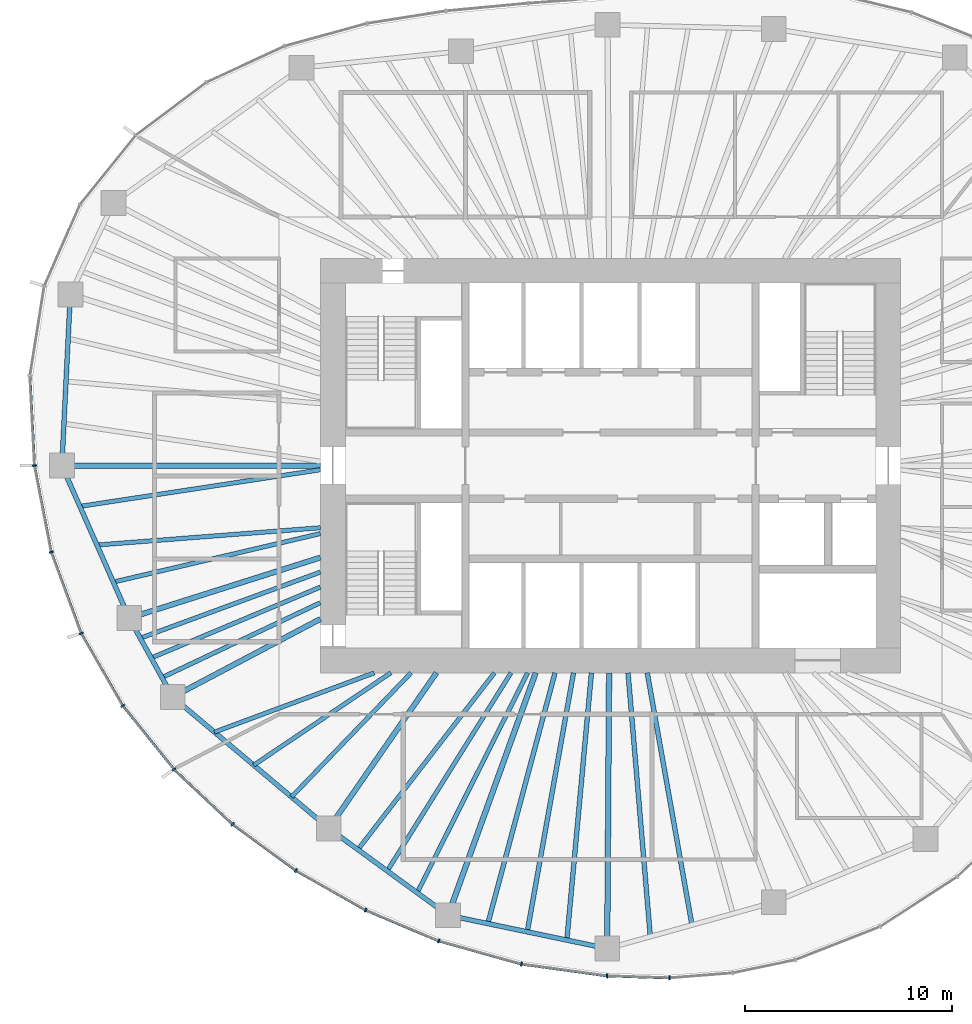
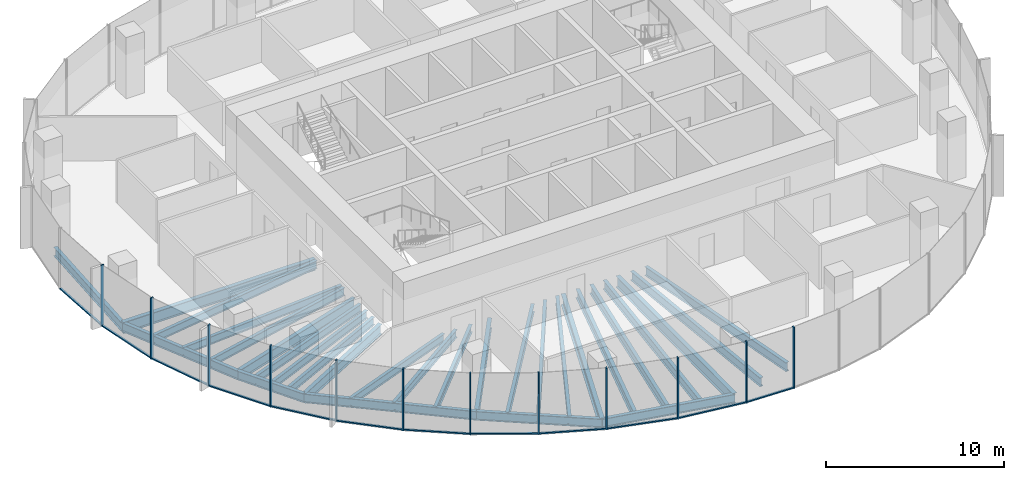
# One storey, part 2 of 11: 29 beams, 24 members, 7 elements without a shape of their own.
"""IFC4 building model written with IfcOpenShell, lengths in metres."""

import ifcopenshell
import ifcopenshell.guid

model = None  # the IFC model being written
_history = None  # IfcOwnerHistory: only IFC2X3 demands one
_inside = {}  # id of a spatial element -> (the spatial element, [elements in it])
_under = {}  # id of a project, library or spatial element -> (it, [spatial elements below it])
_declared = {}  # id of a project -> (the project, [libraries it declares])
_typed = {}  # id of a type object -> (the type object, [elements of that type])
_made_of = {}  # id of a material, layer set ... -> (it, [elements and type objects made of it])


def new_model(schema):
    """Start an empty IFC model of exactly this schema.

    Asked for "IFC4X3", IfcOpenShell would pick the latest addendum, in which some entities
    have other attributes; the version numbers below select the first issue.
    IFC2X3 requires an IfcOwnerHistory on every rooted entity: one is made here for all.
    """
    global model, _history
    if schema == "IFC4X3":
        model = ifcopenshell.file(schema_version=(4, 3, 0, 0))
    else:
        model = ifcopenshell.file(schema=schema)
    _inside.clear()
    _under.clear()
    _declared.clear()
    _typed.clear()
    _made_of.clear()
    _history = None
    if model.schema == "IFC2X3":
        org = make("IfcOrganization", Name="unknown")
        user = make(
            "IfcPersonAndOrganization",
            ThePerson=make("IfcPerson", FamilyName="unknown"),
            TheOrganization=org,
        )
        app = make(
            "IfcApplication",
            ApplicationDeveloper=org,
            Version="unknown",
            ApplicationFullName="unknown",
            ApplicationIdentifier="unknown",
        )
        _history = make(
            "IfcOwnerHistory",
            OwningUser=user,
            OwningApplication=app,
            ChangeAction="ADDED",
            CreationDate=0,
        )
    return model


def make(cls, **values):
    """One entity of the class cls with the attributes given. An attribute that is None is left unset."""
    return model.create_entity(
        cls, **{name: value for name, value in values.items() if value is not None}
    )


def rooted(cls, **values):
    """An entity with a GlobalId (a new one), such as an element, a storey or a relation."""
    return make(cls, GlobalId=ifcopenshell.guid.new(), OwnerHistory=_history, **values)


def si_unit(unit_type, name, prefix=None):
    """IfcSIUnit, for example si_unit("LENGTHUNIT", "METRE", prefix="MILLI")."""
    return make("IfcSIUnit", UnitType=unit_type, Prefix=prefix, Name=name)


def assignment(units):
    """IfcUnitAssignment: the units of a project."""
    return None if units is None else make("IfcUnitAssignment", Units=units)


def point(xyz):
    """IfcCartesianPoint."""
    return None if xyz is None else make("IfcCartesianPoint", Coordinates=xyz)


def direction(xyz):
    """IfcDirection."""
    return None if xyz is None else make("IfcDirection", DirectionRatios=xyz)


def frame(location, z_axis=None, x_axis=None):
    """IfcAxis2Placement3D, a coordinate frame: its origin and axes. An axis left out is left unset."""
    return make(
        "IfcAxis2Placement3D",
        Location=point(location),
        Axis=direction(z_axis),
        RefDirection=direction(x_axis),
    )


def frame_2d(location, x_axis=None):
    """IfcAxis2Placement2D, a coordinate frame in the plane: its origin and x axis."""
    return make(
        "IfcAxis2Placement2D", Location=point(location), RefDirection=direction(x_axis)
    )


def origin():
    """The frame at (0, 0, 0) with its axes left unset."""
    return frame((0.0, 0.0, 0.0))


def origin_2d():
    """The frame at (0, 0) in the plane with its x axis left unset."""
    return frame_2d((0.0, 0.0))


def place(relative_to, where):
    """IfcLocalPlacement: puts the frame where relative to a parent placement (None: the world)."""
    return make(
        "IfcLocalPlacement", PlacementRelTo=relative_to, RelativePlacement=where
    )


def context(
    kind, dimensions, precision=None, world=None, true_north=None, identifier=None
):
    """IfcGeometricRepresentationContext, for example the 3D "Model" context."""
    return make(
        "IfcGeometricRepresentationContext",
        ContextIdentifier=identifier,
        ContextType=kind,
        CoordinateSpaceDimension=dimensions,
        Precision=precision,
        WorldCoordinateSystem=world,
        TrueNorth=true_north,
    )


def subcontext(parent, identifier, kind, view, scale=None):
    """IfcGeometricRepresentationSubContext, for example "Body" below "Model"."""
    return make(
        "IfcGeometricRepresentationSubContext",
        ContextIdentifier=identifier,
        ContextType=kind,
        ParentContext=parent,
        TargetScale=scale,
        TargetView=view,
    )


def project(units=None, contexts=None):
    """IfcProject with its units and contexts."""
    return rooted(
        "IfcProject",
        Name="project",
        RepresentationContexts=contexts,
        UnitsInContext=assignment(units),
    )


def spatial(cls, under=None, at=None, **own):
    """A site, building, storey or space (cls), placed at a placement, below another one or the project."""
    s = rooted(cls, ObjectPlacement=at, **own)
    if under is not None:
        _under.setdefault(under.id(), (under, []))[1].append(s)
    return s


def profile(cls, at=None, kind="AREA", **sizes):
    """A parametric profile (cls). Its sizes go by their IFC names, for example OverallWidth=200.0."""
    return make(cls, ProfileType=kind, Position=at, **sizes)


def rectangle(**sizes):
    """IfcRectangleProfileDef."""
    return profile("IfcRectangleProfileDef", **sizes)


def i_section(**sizes):
    """IfcIShapeProfileDef."""
    return profile("IfcIShapeProfileDef", **sizes)


def extrude(swept, where, along, depth):
    """IfcExtrudedAreaSolid: the profile swept, set in the frame where, extruded along a direction by depth."""
    return make(
        "IfcExtrudedAreaSolid",
        SweptArea=swept,
        Position=where,
        ExtrudedDirection=direction(along),
        Depth=depth,
    )


def shape(context_of_items, identifier, shape_type, items):
    """IfcShapeRepresentation: the items that make up one representation, for example the "Body"."""
    return make(
        "IfcShapeRepresentation",
        ContextOfItems=context_of_items,
        RepresentationIdentifier=identifier,
        RepresentationType=shape_type,
        Items=items,
    )


def material(Name=None, Category=None):
    """IfcMaterial."""
    return make("IfcMaterial", Name=Name, Category=Category)


def material_profile(
    of_material, cross_section, Name=None, Category=None, Priority=None
):
    """IfcMaterialProfile: a cross section and its material."""
    return make(
        "IfcMaterialProfile",
        Name=Name,
        Material=of_material,
        Profile=cross_section,
        Priority=Priority,
        Category=Category,
    )


def profile_set(profiles, Name=None, composite=None):
    """IfcMaterialProfileSet."""
    return make(
        "IfcMaterialProfileSet",
        Name=Name,
        MaterialProfiles=profiles,
        CompositeProfile=composite,
    )


def made_of(thing, what):
    """Note that an element or type object is made of a material, layer set ...; save() writes the relation."""
    if what is not None:
        _made_of.setdefault(what.id(), (what, []))[1].append(thing)
    return thing


def type_object(cls, material=None, **own):
    """A type object (cls), such as IfcWallType, which elements share."""
    return made_of(rooted(cls, **own), material)


def element(
    cls,
    number,
    at=None,
    inside=None,
    cuts=None,
    type_object=None,
    material=None,
    context=None,
    identifier="Body",
    shape_type=None,
    held_by="IfcProductDefinitionShape",
    body=None,
    shapes=None,
    **own,
):
    """One element of the class cls, such as IfcWall. Its Tag is "e" and its number.

    at: its placement. inside: the storey or other place that contains it. cuts: it is an
    opening in that element (IfcRelVoidsElement). A single representation is given by context,
    identifier, shape_type and body (its items); several are given by shapes. held_by: the class
    of the entity that holds the representations. save() writes the other relations.
    """
    e = rooted(cls, Tag="e%d" % number, ObjectPlacement=at, **own)
    if body is not None:
        shapes = [shape(context, identifier, shape_type, body)]
    if shapes is not None:
        e.Representation = make(held_by, Representations=shapes)
    if inside is not None:
        _inside.setdefault(inside.id(), (inside, []))[1].append(e)
    if cuts is not None:
        rooted(
            "IfcRelVoidsElement", RelatingBuildingElement=cuts, RelatedOpeningElement=e
        )
    if type_object is not None:
        _typed.setdefault(type_object.id(), (type_object, []))[1].append(e)
    return made_of(e, material)


def aggregate(whole, parts):
    """IfcRelAggregates: a whole, such as a stair, and the parts it consists of."""
    return rooted("IfcRelAggregates", RelatingObject=whole, RelatedObjects=parts)


def save(model, path):
    """Write the relations noted so far, then the file.

    IfcRelAggregates (storeys below a building ...), IfcRelContainedInSpatialStructure (elements
    in a storey), IfcRelDefinesByType, IfcRelAssociatesMaterial and IfcRelDeclares: one each for
    every whole, place, type object, material and project.
    """
    for whole, parts in _under.values():
        aggregate(whole, parts)
    for where, things in _inside.values():
        rooted(
            "IfcRelContainedInSpatialStructure",
            RelatedElements=things,
            RelatingStructure=where,
        )
    for kind, things in _typed.values():
        rooted("IfcRelDefinesByType", RelatedObjects=things, RelatingType=kind)
    for what, things in _made_of.values():
        rooted("IfcRelAssociatesMaterial", RelatedObjects=things, RelatingMaterial=what)
    for by, libraries in _declared.values():
        rooted("IfcRelDeclares", RelatingContext=by, RelatedDefinitions=libraries)
    model.write(path)


model = new_model("IFC4")

# Units and contexts
model_context = context("Model", 3, precision=1e-05, world=origin(), true_north=direction((0.0, 1.0)))
body_context = subcontext(model_context, "Body", "Model", "MODEL_VIEW")
ifc_project = project(units=[si_unit("LENGTHUNIT", "METRE"), si_unit("AREAUNIT", "SQUARE_METRE"), si_unit("VOLUMEUNIT", "CUBIC_METRE"), si_unit("PLANEANGLEUNIT", "RADIAN"), si_unit("MASSUNIT", "GRAM", prefix="KILO")], contexts=[model_context])

# Site, building, storey
site_placement = place(None, origin())
site = spatial("IfcSite", under=ifc_project, at=site_placement, CompositionType="ELEMENT")
building_placement = place(site_placement, origin())
building = spatial("IfcBuilding", under=site, at=building_placement, Name="Ghaith Harvest Tower", CompositionType="ELEMENT")
storey_placement = place(building_placement, frame((0.0, 0.0, 241.0)))
storey = spatial("IfcBuildingStorey", under=building, at=storey_placement, Name="L53", CompositionType="ELEMENT", Elevation=241.0)

# Curtain wall, members
ifc_material_1 = material(Name="Black anodised aluminium and fritted glass", Category="aluminium")
curtain_wall_type = type_object("IfcCurtainWallType", Name="CW-H CURTAIN WALL", PredefinedType="NOTDEFINED", material=ifc_material_1)
curtain_wall_1_placement = place(storey_placement, origin())
curtain_wall_1 = element("IfcCurtainWall", 1, at=curtain_wall_1_placement, inside=storey, type_object=curtain_wall_type, Name="Curtain wall CW-H bay 11 L53", PredefinedType="NOTDEFINED")
ifc_material_2 = material(Name="Aluminium, black anodised", Category="aluminium")
ifc_material_profile_1 = material_profile(ifc_material_2, rectangle(XDim=0.080078125, YDim=0.199951171875, at=origin_2d()), Name="CW-H MULLION 80x200")
ifc_profile_set_1 = profile_set([ifc_material_profile_1], Name="Aluminium, black anodised")
member_type_1 = type_object("IfcMemberType", Name="CW-H MULLION 80x200", PredefinedType="MULLION", material=ifc_profile_set_1)
member_1_placement = place(storey_placement, frame((-27.794921875, 0.0, 0.0), z_axis=(0.0, 0.0, 1.0), x_axis=(0.12024996575, -0.992743645528, 0.0)))
member_1 = element("IfcMember", 2, at=member_1_placement, type_object=member_type_1, Name="CW-H mullion 1 bay 11 L53", PredefinedType="MULLION", context=body_context, shape_type="SweptSolid", body=[
    extrude(rectangle(XDim=0.080078125, YDim=0.199951171875, at=origin_2d()), origin(), (0.0, 0.0, 1.0), 4.199951171875),
])
member_2_placement = place(storey_placement, frame((-26.9853515625, -4.173828125, 0.0), z_axis=(0.0, 0.0, 1.0), x_axis=(0.268568830903, -0.963260495955, 0.0)))
member_2 = element("IfcMember", 3, at=member_2_placement, type_object=member_type_1, Name="CW-H mullion 2 bay 11 L53", PredefinedType="MULLION", context=body_context, shape_type="SweptSolid", body=[
    extrude(rectangle(XDim=0.080078125, YDim=0.199951171875, at=origin_2d()), origin(), (0.0, 0.0, 1.0), 4.199951171875),
])

curtain_wall_2_placement = place(storey_placement, origin())
curtain_wall_2 = element("IfcCurtainWall", 4, at=curtain_wall_2_placement, inside=storey, type_object=curtain_wall_type, Name="Curtain wall CW-H bay 12 L53", PredefinedType="NOTDEFINED")
member_3_placement = place(storey_placement, frame((-25.538330078125, -8.093505859375, 0.0), z_axis=(0.0, 0.0, 1.0), x_axis=(0.422308650185, -0.906452096903, 0.0)))
member_3 = element("IfcMember", 5, at=member_3_placement, type_object=member_type_1, Name="CW-H mullion 1 bay 12 L53", PredefinedType="MULLION", context=body_context, shape_type="SweptSolid", body=[
    extrude(rectangle(XDim=0.080078125, YDim=0.199951171875, at=origin_2d()), origin(), (0.0, 0.0, 1.0), 4.199951171875),
])
member_4_placement = place(storey_placement, frame((-23.533203125, -11.58349609375, 0.0), z_axis=(0.0, 0.0, 1.0), x_axis=(0.563616546013, -0.826036554312, 0.0)))
member_4 = element("IfcMember", 6, at=member_4_placement, type_object=member_type_1, Name="CW-H mullion 2 bay 12 L53", PredefinedType="MULLION", context=body_context, shape_type="SweptSolid", body=[
    extrude(rectangle(XDim=0.080078125, YDim=0.199951171875, at=origin_2d()), origin(), (0.0, 0.0, 1.0), 4.199951171875),
])

curtain_wall_3_placement = place(storey_placement, origin())
curtain_wall_3 = element("IfcCurtainWall", 7, at=curtain_wall_3_placement, inside=storey, type_object=curtain_wall_type, Name="Curtain wall CW-H bay 13 L53", PredefinedType="NOTDEFINED")
member_5_placement = place(storey_placement, frame((-21.0615234375, -14.65478515625, 0.0), z_axis=(0.0, 0.0, 1.0), x_axis=(0.679181589754, -0.733970277422, 0.0)))
member_5 = element("IfcMember", 8, at=member_5_placement, type_object=member_type_1, Name="CW-H mullion 1 bay 13 L53", PredefinedType="MULLION", context=body_context, shape_type="SweptSolid", body=[
    extrude(rectangle(XDim=0.080078125, YDim=0.199951171875, at=origin_2d()), origin(), (0.0, 0.0, 1.0), 4.199951171875),
])
member_6_placement = place(storey_placement, frame((-18.238037109375, -17.30615234375, 0.0), z_axis=(0.0, 0.0, 1.0), x_axis=(0.769216709506, -0.638987991919, 0.0)))
member_6 = element("IfcMember", 9, at=member_6_placement, type_object=member_type_1, Name="CW-H mullion 2 bay 13 L53", PredefinedType="MULLION", context=body_context, shape_type="SweptSolid", body=[
    extrude(rectangle(XDim=0.080078125, YDim=0.199951171875, at=origin_2d()), origin(), (0.0, 0.0, 1.0), 4.199951171875),
])

curtain_wall_4_placement = place(storey_placement, origin())
curtain_wall_4 = element("IfcCurtainWall", 10, at=curtain_wall_4_placement, inside=storey, type_object=curtain_wall_type, Name="Curtain wall CW-H bay 14 L53", PredefinedType="NOTDEFINED")
member_7_placement = place(storey_placement, frame((-15.177490234375, -19.542724609375, 0.0), z_axis=(0.0, 0.0, 1.0), x_axis=(0.840233591157, -0.5422245958, 0.0)))
member_7 = element("IfcMember", 11, at=member_7_placement, type_object=member_type_1, Name="CW-H mullion 1 bay 14 L53", PredefinedType="MULLION", context=body_context, shape_type="SweptSolid", body=[
    extrude(rectangle(XDim=0.080078125, YDim=0.199951171875, at=origin_2d()), origin(), (0.0, 0.0, 1.0), 4.199951171875),
])
member_8_placement = place(storey_placement, frame((-11.815185546875, -21.45068359375, 0.0), z_axis=(0.0, 0.0, 1.0), x_axis=(0.896852966189, -0.442328788389, 0.0)))
member_8 = element("IfcMember", 12, at=member_8_placement, type_object=member_type_1, Name="CW-H mullion 2 bay 14 L53", PredefinedType="MULLION", context=body_context, shape_type="SweptSolid", body=[
    extrude(rectangle(XDim=0.080078125, YDim=0.199951171875, at=origin_2d()), origin(), (0.0, 0.0, 1.0), 4.199951171875),
])

curtain_wall_5_placement = place(storey_placement, origin())
curtain_wall_5 = element("IfcCurtainWall", 13, at=curtain_wall_5_placement, inside=storey, type_object=curtain_wall_type, Name="Curtain wall CW-H bay 15 L53", PredefinedType="NOTDEFINED")
member_9_placement = place(storey_placement, frame((-8.285888671875, -22.941650390625, 0.0), z_axis=(0.0, 0.0, 1.0), x_axis=(0.944906041636, -0.327341675439, 0.0)))
member_9 = element("IfcMember", 14, at=member_9_placement, type_object=member_type_1, Name="CW-H mullion 1 bay 15 L53", PredefinedType="MULLION", context=body_context, shape_type="SweptSolid", body=[
    extrude(rectangle(XDim=0.080078125, YDim=0.199951171875, at=origin_2d()), origin(), (0.0, 0.0, 1.0), 4.199951171875),
])
member_10_placement = place(storey_placement, frame((-4.2958984375, -24.0556640625, 0.0), z_axis=(0.0, 0.0, 1.0), x_axis=(0.979161388311, -0.203083666601, 0.0)))
member_10 = element("IfcMember", 15, at=member_10_placement, type_object=member_type_1, Name="CW-H mullion 2 bay 15 L53", PredefinedType="MULLION", context=body_context, shape_type="SweptSolid", body=[
    extrude(rectangle(XDim=0.080078125, YDim=0.199951171875, at=origin_2d()), origin(), (0.0, 0.0, 1.0), 4.199951171875),
])

curtain_wall_6_placement = place(storey_placement, origin())
curtain_wall_6 = element("IfcCurtainWall", 16, at=curtain_wall_6_placement, inside=storey, type_object=curtain_wall_type, Name="Curtain wall CW-H bay 16 L53", PredefinedType="NOTDEFINED")
member_11_placement = place(storey_placement, frame((-0.16845703125, -24.625244140625, 0.0), z_axis=(0.0, 0.0, 1.0), x_axis=(0.99568459113, -0.092801912617, 0.0)))
member_11 = element("IfcMember", 17, at=member_11_placement, type_object=member_type_1, Name="CW-H mullion 1 bay 16 L53", PredefinedType="MULLION", context=body_context, shape_type="SweptSolid", body=[
    extrude(rectangle(XDim=0.080078125, YDim=0.199951171875, at=origin_2d()), origin(), (0.0, 0.0, 1.0), 4.199951171875),
])
member_12_placement = place(storey_placement, frame((2.84765625, -24.721435546875, 0.0), z_axis=(0.0, 0.0, 1.0), x_axis=(0.999724413906, 0.02347543907, 0.0)))
member_12 = element("IfcMember", 18, at=member_12_placement, type_object=member_type_1, Name="CW-H mullion 2 bay 16 L53", PredefinedType="MULLION", context=body_context, shape_type="SweptSolid", body=[
    extrude(rectangle(XDim=0.080078125, YDim=0.199951171875, at=origin_2d()), origin(), (0.0, 0.0, 1.0), 4.199951171875),
])

# Curtain wall, member
curtain_wall_7_placement = place(storey_placement, origin())
curtain_wall_7 = element("IfcCurtainWall", 19, at=curtain_wall_7_placement, inside=storey, type_object=curtain_wall_type, Name="Curtain wall CW-H bay 10 L53", PredefinedType="NOTDEFINED")
ifc_material_3 = material(Name="Aluminium, black anodised", Category="aluminium")
ifc_material_profile_2 = material_profile(ifc_material_3, rectangle(XDim=0.1298828125, YDim=0.080078125, at=origin_2d()), Name="CW-H TRANSOM 130x80")
ifc_profile_set_2 = profile_set([ifc_material_profile_2], Name="Aluminium, black anodised")
member_type_2 = type_object("IfcMemberType", Name="CW-H TRANSOM 130x80", PredefinedType="USERDEFINED", material=ifc_profile_set_2)
member_13_placement = place(storey_placement, frame((-28.013671875, 4.293212890625, 0.0400390625), z_axis=(0.05084969311, -0.998706317548, 0.0), x_axis=(0.998706317548, 0.05084969311, 0.0)))
member_13 = element("IfcMember", 20, at=member_13_placement, type_object=member_type_2, Name="CW-H transom 2 bay 10 L53", ObjectType="TRANSOM", PredefinedType="USERDEFINED", context=body_context, shape_type="SweptSolid", body=[
    extrude(rectangle(XDim=0.1298828125, YDim=0.080078125, at=origin_2d()), origin(), (0.0, 0.0, 1.0), 4.2587890625),
])
aggregate(curtain_wall_7, [member_13])

# Member
member_14_placement = place(storey_placement, frame((-27.787353515625, -0.039306640625, 0.0400390625), z_axis=(0.190440428338, -0.981698753821, 0.0), x_axis=(0.981698753821, 0.190440428338, 0.0)))
member_14 = element("IfcMember", 21, at=member_14_placement, type_object=member_type_2, Name="CW-H transom 1 bay 11 L53", ObjectType="TRANSOM", PredefinedType="USERDEFINED", context=body_context, shape_type="SweptSolid", body=[
    extrude(rectangle(XDim=0.1298828125, YDim=0.080078125, at=origin_2d()), origin(), (0.0, 0.0, 1.0), 4.171630859375),
])

member_15_placement = place(storey_placement, frame((-26.971435546875, -4.21142578125, 0.0400390625), z_axis=(0.346287782987, -0.93812833416, 0.0), x_axis=(0.93812833416, 0.346287782987, 0.0)))
member_15 = element("IfcMember", 22, at=member_15_placement, type_object=member_type_2, Name="CW-H transom 2 bay 11 L53", ObjectType="TRANSOM", PredefinedType="USERDEFINED", context=body_context, shape_type="SweptSolid", body=[
    extrude(rectangle(XDim=0.1298828125, YDim=0.080078125, at=origin_2d()), origin(), (0.0, 0.0, 1.0), 4.098388671875),
])

aggregate(curtain_wall_1, [member_1, member_14, member_2, member_15])

member_16_placement = place(storey_placement, frame((-25.5185546875, -8.128173828125, 0.0400390625), z_axis=(0.498176929488, -0.86707539864, 0.0), x_axis=(0.86707539864, 0.498176929488, 0.0)))
member_16 = element("IfcMember", 23, at=member_16_placement, type_object=member_type_2, Name="CW-H transom 1 bay 12 L53", ObjectType="TRANSOM", PredefinedType="USERDEFINED", context=body_context, shape_type="SweptSolid", body=[
    extrude(rectangle(XDim=0.1298828125, YDim=0.080078125, at=origin_2d()), origin(), (0.0, 0.0, 1.0), 3.945068359375),
])

member_17_placement = place(storey_placement, frame((-23.508056640625, -11.61474609375, 0.0400390625), z_axis=(0.626958878139, -0.779052350694, 0.0), x_axis=(0.779052350694, 0.626958878139, 0.0)))
member_17 = element("IfcMember", 24, at=member_17_placement, type_object=member_type_2, Name="CW-H transom 2 bay 12 L53", ObjectType="TRANSOM", PredefinedType="USERDEFINED", context=body_context, shape_type="SweptSolid", body=[
    extrude(rectangle(XDim=0.1298828125, YDim=0.080078125, at=origin_2d()), origin(), (0.0, 0.0, 1.0), 3.862060546875),
])

aggregate(curtain_wall_2, [member_3, member_16, member_4, member_17])

member_18_placement = place(storey_placement, frame((-21.032470703125, -14.68212890625, 0.0400390625), z_axis=(0.729025183709, -0.684486874613, 0.0), x_axis=(0.684486874613, 0.729025183709, 0.0)))
member_18 = element("IfcMember", 25, at=member_18_placement, type_object=member_type_2, Name="CW-H transom 1 bay 13 L53", ObjectType="TRANSOM", PredefinedType="USERDEFINED", context=body_context, shape_type="SweptSolid", body=[
    extrude(rectangle(XDim=0.1298828125, YDim=0.080078125, at=origin_2d()), origin(), (0.0, 0.0, 1.0), 3.793212890625),
])

member_19_placement = place(storey_placement, frame((-18.20556640625, -17.32958984375, 0.0400390625), z_axis=(0.807368217185, -0.590047931849, 0.0), x_axis=(0.590047931849, 0.807368217185, 0.0)))
member_19 = element("IfcMember", 26, at=member_19_placement, type_object=member_type_2, Name="CW-H transom 2 bay 13 L53", ObjectType="TRANSOM", PredefinedType="USERDEFINED", context=body_context, shape_type="SweptSolid", body=[
    extrude(rectangle(XDim=0.1298828125, YDim=0.080078125, at=origin_2d()), origin(), (0.0, 0.0, 1.0), 3.710693359375),
])

aggregate(curtain_wall_3, [member_5, member_18, member_6, member_19])

member_20_placement = place(storey_placement, frame((-15.142822265625, -19.5625, 0.0400390625), z_axis=(0.869735291487, -0.493518513068, 0.0), x_axis=(0.493518513068, 0.869735291487, 0.0)))
member_20 = element("IfcMember", 27, at=member_20_placement, type_object=member_type_2, Name="CW-H transom 1 bay 14 L53", ObjectType="TRANSOM", PredefinedType="USERDEFINED", context=body_context, shape_type="SweptSolid", body=[
    extrude(rectangle(XDim=0.1298828125, YDim=0.080078125, at=origin_2d()), origin(), (0.0, 0.0, 1.0), 3.785888671875),
])

member_21_placement = place(storey_placement, frame((-11.7783203125, -21.46630859375, 0.0400390625), z_axis=(0.921182691948, -0.38913037411, 0.0), x_axis=(0.38913037411, 0.921182691948, 0.0)))
member_21 = element("IfcMember", 28, at=member_21_placement, type_object=member_type_2, Name="CW-H transom 2 bay 14 L53", ObjectType="TRANSOM", PredefinedType="USERDEFINED", context=body_context, shape_type="SweptSolid", body=[
    extrude(rectangle(XDim=0.1298828125, YDim=0.080078125, at=origin_2d()), origin(), (0.0, 0.0, 1.0), 3.751220703125),
])

aggregate(curtain_wall_4, [member_7, member_20, member_8, member_21])

member_22_placement = place(storey_placement, frame((-8.24755859375, -22.952392578125, 0.0400390625), z_axis=(0.963164092269, -0.268914356932, 0.0), x_axis=(0.268914356932, 0.963164092269, 0.0)))
member_22 = element("IfcMember", 29, at=member_22_placement, type_object=member_type_2, Name="CW-H transom 1 bay 15 L53", ObjectType="TRANSOM", PredefinedType="USERDEFINED", context=body_context, shape_type="SweptSolid", body=[
    extrude(rectangle(XDim=0.1298828125, YDim=0.080078125, at=origin_2d()), origin(), (0.0, 0.0, 1.0), 4.062744140625),
])

member_23_placement = place(storey_placement, frame((-4.25634765625, -24.06103515625, 0.0400390625), z_axis=(0.990605228149, -0.136752630555, 0.0), x_axis=(0.136752630555, 0.990605228149, 0.0)))
member_23 = element("IfcMember", 30, at=member_23_placement, type_object=member_type_2, Name="CW-H transom 2 bay 15 L53", ObjectType="TRANSOM", PredefinedType="USERDEFINED", context=body_context, shape_type="SweptSolid", body=[
    extrude(rectangle(XDim=0.1298828125, YDim=0.080078125, at=origin_2d()), origin(), (0.0, 0.0, 1.0), 4.08642578125),
])

aggregate(curtain_wall_5, [member_9, member_22, member_10, member_23])

member_24_placement = place(storey_placement, frame((-0.128662109375, -24.62646484375, 0.0400390625), z_axis=(0.999490770233, -0.031909249731, 0.0), x_axis=(0.031909249731, 0.999490770233, 0.0)))
member_24 = element("IfcMember", 31, at=member_24_placement, type_object=member_type_2, Name="CW-H transom 1 bay 16 L53", ObjectType="TRANSOM", PredefinedType="USERDEFINED", context=body_context, shape_type="SweptSolid", body=[
    extrude(rectangle(XDim=0.1298828125, YDim=0.080078125, at=origin_2d()), origin(), (0.0, 0.0, 1.0), 2.93798828125),
])

aggregate(curtain_wall_6, [member_11, member_24, member_12])

# Beams
ifc_material_4 = material(Name="Steel ASTM A992 Grade 50", Category="steel")
ifc_material_profile_3 = material_profile(ifc_material_4, i_section(OverallWidth=0.22900390625, OverallDepth=0.612060546875, WebThickness=0.011962890625, FlangeThickness=0.01953125, at=origin_2d()), Name="W610X125")
ifc_profile_set_3 = profile_set([ifc_material_profile_3], Name="Steel ASTM A992 Grade 50")
beam_type_1 = type_object("IfcBeamType", Name="E610-125 W610X125", PredefinedType="SPANDREL", material=ifc_profile_set_3)
beam_1_placement = place(storey_placement, frame((-26.06689453125, 8.260986328125, -0.47607421875), z_axis=(-0.049353148492, -0.998781390863, 0.0), x_axis=(0.998781390863, -0.049353148492, 0.0)))
element("IfcBeam", 32, at=beam_1_placement, inside=storey, type_object=beam_type_1, Name="Edge beam E10 L53", PredefinedType="SPANDREL", context=body_context, shape_type="SweptSolid", body=[
    extrude(i_section(OverallWidth=0.22900390625, OverallDepth=0.612060546875, WebThickness=0.011962890625, FlangeThickness=0.01953125, at=origin_2d()), origin(), (0.0, 0.0, 1.0), 8.27099609375),
])
beam_2_placement = place(storey_placement, frame((-26.47509765625, 0.0, -0.47607421875), z_axis=(0.404042817399, -0.914740073304, 0.0), x_axis=(0.914740073304, 0.404042817399, 0.0)))
element("IfcBeam", 33, at=beam_2_placement, inside=storey, type_object=beam_type_1, Name="Edge beam E11 L53", PredefinedType="SPANDREL", context=body_context, shape_type="SweptSolid", body=[
    extrude(i_section(OverallWidth=0.22900390625, OverallDepth=0.612060546875, WebThickness=0.011962890625, FlangeThickness=0.01953125, at=origin_2d()), origin(), (0.0, 0.0, 1.0), 8.046142578125),
])
beam_3_placement = place(storey_placement, frame((-23.22412109375, -7.360107421875, -0.47607421875), z_axis=(0.482955575345, -0.875644855089, 0.0), x_axis=(0.875644855089, 0.482955575345, 0.0)))
element("IfcBeam", 34, at=beam_3_placement, inside=storey, type_object=beam_type_1, Name="Edge beam E12 L53", PredefinedType="SPANDREL", context=body_context, shape_type="SweptSolid", body=[
    extrude(i_section(OverallWidth=0.22900390625, OverallDepth=0.612060546875, WebThickness=0.011962890625, FlangeThickness=0.01953125, at=origin_2d()), origin(), (0.0, 0.0, 1.0), 4.346435546875),
])
beam_4_placement = place(storey_placement, frame((-21.125, -11.166015625, -0.47607421875), z_axis=(0.765021818761, -0.64400436087, 0.0), x_axis=(0.64400436087, 0.765021818761, 0.0)))
element("IfcBeam", 35, at=beam_4_placement, inside=storey, type_object=beam_type_1, Name="Edge beam E13 L53", PredefinedType="SPANDREL", context=body_context, shape_type="SweptSolid", body=[
    extrude(i_section(OverallWidth=0.22900390625, OverallDepth=0.612060546875, WebThickness=0.011962890625, FlangeThickness=0.01953125, at=origin_2d()), origin(), (0.0, 0.0, 1.0), 9.8427734375),
])
beam_5_placement = place(storey_placement, frame((-13.594970703125, -17.5048828125, -0.47607421875), z_axis=(0.808194782503, -0.588915268553, 0.0), x_axis=(0.588915268553, 0.808194782503, 0.0)))
element("IfcBeam", 36, at=beam_5_placement, inside=storey, type_object=beam_type_1, Name="Edge beam E14 L53", PredefinedType="SPANDREL", context=body_context, shape_type="SweptSolid", body=[
    extrude(i_section(OverallWidth=0.22900390625, OverallDepth=0.612060546875, WebThickness=0.011962890625, FlangeThickness=0.01953125, at=origin_2d()), origin(), (0.0, 0.0, 1.0), 7.123291015625),
])
beam_6_placement = place(storey_placement, frame((-7.837890625, -21.699951171875, -0.47607421875), z_axis=(0.978847910797, -0.20458926543, 0.0), x_axis=(0.20458926543, 0.978847910797, 0.0)))
element("IfcBeam", 37, at=beam_6_placement, inside=storey, type_object=beam_type_1, Name="Edge beam E15 L53", PredefinedType="SPANDREL", context=body_context, shape_type="SweptSolid", body=[
    extrude(i_section(OverallWidth=0.22900390625, OverallDepth=0.612060546875, WebThickness=0.011962890625, FlangeThickness=0.01953125, at=origin_2d()), origin(), (0.0, 0.0, 1.0), 7.844970703125),
])
ifc_material_5 = material(Name="Steel ASTM A992 Grade 50", Category="steel")
ifc_material_profile_4 = material_profile(ifc_material_5, i_section(OverallWidth=0.256103515625, OverallDepth=0.693115234375, WebThickness=0.014404296875, FlangeThickness=0.023681640625, at=origin_2d()), Name="W690X170")
ifc_profile_set_4 = profile_set([ifc_material_profile_4], Name="Steel ASTM A992 Grade 50")
beam_type_2 = type_object("IfcBeamType", Name="G690-170 W690X170", PredefinedType="BEAM", material=ifc_profile_set_4)
beam_7_placement = place(storey_placement, frame((-14.0, -4.43701171875, -0.5166015625), z_axis=(-0.953279028151, -0.302091202267, 0.0), x_axis=(0.302091202267, -0.953279028151, 0.0)))
element("IfcBeam", 38, at=beam_7_placement, inside=storey, type_object=beam_type_2, Name="Radial girder G12 L53", PredefinedType="BEAM", context=body_context, shape_type="SweptSolid", body=[
    extrude(i_section(OverallWidth=0.256103515625, OverallDepth=0.693115234375, WebThickness=0.014404296875, FlangeThickness=0.023681640625, at=origin_2d()), origin(), (0.0, 0.0, 1.0), 9.67626953125),
])
beam_8_placement = place(storey_placement, frame((-14.0, -7.39990234375, -0.5166015625), z_axis=(-0.88409279474, -0.46731138472, 0.0), x_axis=(0.46731138472, -0.88409279474, 0.0)))
element("IfcBeam", 39, at=beam_8_placement, inside=storey, type_object=beam_type_2, Name="Radial girder G13 L53", PredefinedType="BEAM", context=body_context, shape_type="SweptSolid", body=[
    extrude(i_section(OverallWidth=0.256103515625, OverallDepth=0.693115234375, WebThickness=0.014404296875, FlangeThickness=0.023681640625, at=origin_2d()), origin(), (0.0, 0.0, 1.0), 8.05908203125),
])
beam_9_placement = place(storey_placement, frame((-8.39990234375, -10.0, -0.5166015625), z_axis=(-0.569164078909, -0.822223966617, 0.0), x_axis=(0.822223966617, -0.569164078909, 0.0)))
element("IfcBeam", 40, at=beam_9_placement, inside=storey, type_object=beam_type_2, Name="Radial girder G14 L53", PredefinedType="BEAM", context=body_context, shape_type="SweptSolid", body=[
    extrude(i_section(OverallWidth=0.256103515625, OverallDepth=0.693115234375, WebThickness=0.014404296875, FlangeThickness=0.023681640625, at=origin_2d()), origin(), (0.0, 0.0, 1.0), 9.12744140625),
])
ifc_material_6 = material(Name="Steel ASTM A992 Grade 50", Category="steel")
ifc_material_profile_5 = material_profile(ifc_material_6, i_section(OverallWidth=0.26806640625, OverallDepth=0.77001953125, WebThickness=0.015625, FlangeThickness=0.025390625, at=origin_2d()), Name="W760X196")
ifc_profile_set_5 = profile_set([ifc_material_profile_5], Name="Steel ASTM A992 Grade 50")
beam_type_3 = type_object("IfcBeamType", Name="G760-196 W760X196", PredefinedType="BEAM", material=ifc_profile_set_5)
beam_10_placement = place(storey_placement, frame((-14.0, 0.0, -0.554931640625), z_axis=(-1.0, 0.0, 0.0), x_axis=(0.0, -1.0, 0.0)))
element("IfcBeam", 41, at=beam_10_placement, inside=storey, type_object=beam_type_3, Name="Radial girder G11 L53", PredefinedType="BEAM", context=body_context, shape_type="SweptSolid", body=[
    extrude(i_section(OverallWidth=0.26806640625, OverallDepth=0.77001953125, WebThickness=0.015625, FlangeThickness=0.025390625, at=origin_2d()), origin(), (0.0, 0.0, 1.0), 12.47509765625),
])
beam_11_placement = place(storey_placement, frame((-3.61181640625, -10.0, -0.554931640625), z_axis=(-0.339722108335, -0.940525857756, 0.0), x_axis=(0.940525857756, -0.339722108335, 0.0)))
element("IfcBeam", 42, at=beam_11_placement, inside=storey, type_object=beam_type_3, Name="Radial girder G15 L53", PredefinedType="BEAM", context=body_context, shape_type="SweptSolid", body=[
    extrude(i_section(OverallWidth=0.26806640625, OverallDepth=0.77001953125, WebThickness=0.015625, FlangeThickness=0.025390625, at=origin_2d()), origin(), (0.0, 0.0, 1.0), 12.439697265625),
])
beam_12_placement = place(storey_placement, frame((-0.068359375, -10.0, -0.554931640625), z_axis=(-0.00680755644, -0.999976828319, 0.0), x_axis=(0.999976828319, -0.00680755644, 0.0)))
element("IfcBeam", 43, at=beam_12_placement, inside=storey, type_object=beam_type_3, Name="Radial girder G16 L53", PredefinedType="BEAM", context=body_context, shape_type="SweptSolid", body=[
    extrude(i_section(OverallWidth=0.26806640625, OverallDepth=0.77001953125, WebThickness=0.015625, FlangeThickness=0.025390625, at=origin_2d()), origin(), (0.0, 0.0, 1.0), 13.30517578125),
])
ifc_material_7 = material(Name="Steel ASTM A992 Grade 50", Category="steel")
ifc_material_profile_6 = material_profile(ifc_material_7, i_section(OverallWidth=0.2109375, OverallDepth=0.5390625, WebThickness=0.01171875, FlangeThickness=0.018798828125, at=origin_2d()), Name="W530X109")
ifc_profile_set_6 = profile_set([ifc_material_profile_6], Name="Steel ASTM A992 Grade 50")
beam_type_4 = type_object("IfcBeamType", Name="J530-109 W530X109", PredefinedType="JOIST", material=ifc_profile_set_6)
beam_13_placement = place(storey_placement, frame((-14.0, -0.199951171875, -0.439453125), z_axis=(-0.988587077715, -0.150650555178, 0.0), x_axis=(0.150650555178, -0.988587077715, 0.0)))
element("IfcBeam", 44, at=beam_13_placement, inside=storey, type_object=beam_type_4, Name="Joist J11.1 L53", PredefinedType="JOIST", context=body_context, shape_type="SweptSolid", body=[
    extrude(i_section(OverallWidth=0.2109375, OverallDepth=0.5390625, WebThickness=0.01171875, FlangeThickness=0.018798828125, at=origin_2d()), origin(), (0.0, 0.0, 1.0), 11.739501953125),
])
beam_14_placement = place(storey_placement, frame((-14.0, -3.0, -0.439453125), z_axis=(-0.997028799301, -0.077029691443, 0.0), x_axis=(0.077029691443, -0.997028799301, 0.0)))
element("IfcBeam", 45, at=beam_14_placement, inside=storey, type_object=beam_type_4, Name="Joist J11.2 L53", PredefinedType="JOIST", context=body_context, shape_type="SweptSolid", body=[
    extrude(i_section(OverallWidth=0.2109375, OverallDepth=0.5390625, WebThickness=0.01171875, FlangeThickness=0.018798828125, at=origin_2d()), origin(), (0.0, 0.0, 1.0), 10.814208984375),
])
beam_15_placement = place(storey_placement, frame((-14.0, -3.280517578125, -0.439453125), z_axis=(-0.97362176086, -0.22816806696, 0.0), x_axis=(0.22816806696, -0.97362176086, 0.0)))
element("IfcBeam", 46, at=beam_15_placement, inside=storey, type_object=beam_type_4, Name="Joist J11.3 L53", PredefinedType="JOIST", context=body_context, shape_type="SweptSolid", body=[
    extrude(i_section(OverallWidth=0.2109375, OverallDepth=0.5390625, WebThickness=0.01171875, FlangeThickness=0.018798828125, at=origin_2d()), origin(), (0.0, 0.0, 1.0), 10.262451171875),
])
beam_16_placement = place(storey_placement, frame((-5.60009765625, -10.0, -0.439453125), z_axis=(-0.611412687895, -0.791311901264, 0.0), x_axis=(0.791311901264, -0.611412687895, 0.0)))
element("IfcBeam", 47, at=beam_16_placement, inside=storey, type_object=beam_type_4, Name="Joist J14.1 L53", PredefinedType="JOIST", context=body_context, shape_type="SweptSolid", body=[
    extrude(i_section(OverallWidth=0.2109375, OverallDepth=0.5390625, WebThickness=0.01171875, FlangeThickness=0.018798828125, at=origin_2d()), origin(), (0.0, 0.0, 1.0), 10.778076171875),
])
beam_17_placement = place(storey_placement, frame((-4.800048828125, -10.0, -0.439453125), z_axis=(-0.529921073682, -0.848046965484, 0.0), x_axis=(0.848046965484, -0.529921073682, 0.0)))
element("IfcBeam", 48, at=beam_17_placement, inside=storey, type_object=beam_type_4, Name="Joist J14.2 L53", PredefinedType="JOIST", context=body_context, shape_type="SweptSolid", body=[
    extrude(i_section(OverallWidth=0.2109375, OverallDepth=0.5390625, WebThickness=0.01171875, FlangeThickness=0.018798828125, at=origin_2d()), origin(), (0.0, 0.0, 1.0), 11.273681640625),
])
beam_18_placement = place(storey_placement, frame((-4.0, -10.0, -0.439453125), z_axis=(-0.448791718068, -0.893636387908, 0.0), x_axis=(0.893636387908, -0.448791718068, 0.0)))
element("IfcBeam", 49, at=beam_18_placement, inside=storey, type_object=beam_type_4, Name="Joist J14.3 L53", PredefinedType="JOIST", context=body_context, shape_type="SweptSolid", body=[
    extrude(i_section(OverallWidth=0.2109375, OverallDepth=0.5390625, WebThickness=0.01171875, FlangeThickness=0.018798828125, at=origin_2d()), origin(), (0.0, 0.0, 1.0), 11.8759765625),
])
ifc_material_8 = material(Name="Steel ASTM A992 Grade 50", Category="steel")
ifc_material_profile_7 = material_profile(ifc_material_8, i_section(OverallWidth=0.208984375, OverallDepth=0.532958984375, WebThickness=0.01025390625, FlangeThickness=0.015625, at=origin_2d()), Name="W530X92")
ifc_profile_set_7 = profile_set([ifc_material_profile_7], Name="Steel ASTM A992 Grade 50")
beam_type_5 = type_object("IfcBeamType", Name="J530-92 W530X92", PredefinedType="JOIST", material=ifc_profile_set_7)
beam_19_placement = place(storey_placement, frame((-14.0, -5.137939453125, -0.4365234375), z_axis=(-0.93877284801, -0.34453670318, 0.0), x_axis=(0.34453670318, -0.93877284801, 0.0)))
element("IfcBeam", 50, at=beam_19_placement, inside=storey, type_object=beam_type_5, Name="Joist J12.1 L53", PredefinedType="JOIST", context=body_context, shape_type="SweptSolid", body=[
    extrude(i_section(OverallWidth=0.208984375, OverallDepth=0.532958984375, WebThickness=0.01025390625, FlangeThickness=0.015625, at=origin_2d()), origin(), (0.0, 0.0, 1.0), 9.25732421875),
])
beam_20_placement = place(storey_placement, frame((-14.0, -5.862548828125, -0.4365234375), z_axis=(-0.922387515293, -0.386265804377, 0.0), x_axis=(0.386265804377, -0.922387515293, 0.0)))
element("IfcBeam", 51, at=beam_20_placement, inside=storey, type_object=beam_type_5, Name="Joist J12.2 L53", PredefinedType="JOIST", context=body_context, shape_type="SweptSolid", body=[
    extrude(i_section(OverallWidth=0.208984375, OverallDepth=0.532958984375, WebThickness=0.01025390625, FlangeThickness=0.015625, at=origin_2d()), origin(), (0.0, 0.0, 1.0), 8.851318359375),
])
beam_21_placement = place(storey_placement, frame((-14.0, -6.614990234375, -0.4365234375), z_axis=(-0.90415786724, -0.427198491462, 0.0), x_axis=(0.427198491462, -0.90415786724, 0.0)))
element("IfcBeam", 52, at=beam_21_placement, inside=storey, type_object=beam_type_5, Name="Joist J12.3 L53", PredefinedType="JOIST", context=body_context, shape_type="SweptSolid", body=[
    extrude(i_section(OverallWidth=0.208984375, OverallDepth=0.532958984375, WebThickness=0.01025390625, FlangeThickness=0.015625, at=origin_2d()), origin(), (0.0, 0.0, 1.0), 8.45361328125),
])
beam_22_placement = place(storey_placement, frame((-11.39990234375, -10.0, -0.4365234375), z_axis=(-0.937594001899, -0.34773191916, 0.0), x_axis=(0.34773191916, -0.937594001899, 0.0)))
element("IfcBeam", 53, at=beam_22_placement, inside=storey, type_object=beam_type_5, Name="Joist J13.1 L53", PredefinedType="JOIST", context=body_context, shape_type="SweptSolid", body=[
    extrude(i_section(OverallWidth=0.208984375, OverallDepth=0.532958984375, WebThickness=0.01025390625, FlangeThickness=0.015625, at=origin_2d()), origin(), (0.0, 0.0, 1.0), 8.225830078125),
])
beam_23_placement = place(storey_placement, frame((-10.60009765625, -10.0, -0.4365234375), z_axis=(-0.829594017544, -0.55836705316, 0.0), x_axis=(0.55836705316, -0.829594017544, 0.0)))
element("IfcBeam", 54, at=beam_23_placement, inside=storey, type_object=beam_type_5, Name="Joist J13.2 L53", PredefinedType="JOIST", context=body_context, shape_type="SweptSolid", body=[
    extrude(i_section(OverallWidth=0.208984375, OverallDepth=0.532958984375, WebThickness=0.01025390625, FlangeThickness=0.015625, at=origin_2d()), origin(), (0.0, 0.0, 1.0), 7.977783203125),
])
beam_24_placement = place(storey_placement, frame((-9.626708984375, -10.0, -0.4365234375), z_axis=(-0.693546892509, -0.720411485119, 0.0), x_axis=(0.720411485119, -0.693546892509, 0.0)))
element("IfcBeam", 55, at=beam_24_placement, inside=storey, type_object=beam_type_5, Name="Joist J13.3 L53", PredefinedType="JOIST", context=body_context, shape_type="SweptSolid", body=[
    extrude(i_section(OverallWidth=0.208984375, OverallDepth=0.532958984375, WebThickness=0.01025390625, FlangeThickness=0.015625, at=origin_2d()), origin(), (0.0, 0.0, 1.0), 8.3154296875),
])
ifc_material_9 = material(Name="Steel ASTM A992 Grade 50", Category="steel")
ifc_material_profile_8 = material_profile(ifc_material_9, i_section(OverallWidth=0.22900390625, OverallDepth=0.612060546875, WebThickness=0.011962890625, FlangeThickness=0.01953125, at=origin_2d()), Name="W610X125")
ifc_profile_set_8 = profile_set([ifc_material_profile_8], Name="Steel ASTM A992 Grade 50")
beam_type_6 = type_object("IfcBeamType", Name="J610-125 W610X125", PredefinedType="JOIST", material=ifc_profile_set_8)
beam_25_placement = place(storey_placement, frame((-2.677978515625, -10.0, -0.47607421875), z_axis=(-0.258683807585, -0.965962052926, 0.0), x_axis=(0.965962052926, -0.258683807585, 0.0)))
element("IfcBeam", 56, at=beam_25_placement, inside=storey, type_object=beam_type_6, Name="Joist J15.1 L53", PredefinedType="JOIST", context=body_context, shape_type="SweptSolid", body=[
    extrude(i_section(OverallWidth=0.22900390625, OverallDepth=0.612060546875, WebThickness=0.011962890625, FlangeThickness=0.01953125, at=origin_2d()), origin(), (0.0, 0.0, 1.0), 12.52783203125),
])
beam_26_placement = place(storey_placement, frame((-1.785888671875, -10.0, -0.47607421875), z_axis=(-0.17579463172, -0.984426862422, 0.0), x_axis=(0.984426862422, -0.17579463172, 0.0)))
element("IfcBeam", 57, at=beam_26_placement, inside=storey, type_object=beam_type_6, Name="Joist J15.2 L53", PredefinedType="JOIST", context=body_context, shape_type="SweptSolid", body=[
    extrude(i_section(OverallWidth=0.22900390625, OverallDepth=0.612060546875, WebThickness=0.011962890625, FlangeThickness=0.01953125, at=origin_2d()), origin(), (0.0, 0.0, 1.0), 12.6962890625),
])
beam_27_placement = place(storey_placement, frame((-0.92041015625, -10.0, -0.47607421875), z_axis=(-0.091645483251, -0.995791697796, 0.0), x_axis=(0.995791697796, -0.091645483251, 0.0)))
element("IfcBeam", 58, at=beam_27_placement, inside=storey, type_object=beam_type_6, Name="Joist J15.3 L53", PredefinedType="JOIST", context=body_context, shape_type="SweptSolid", body=[
    extrude(i_section(OverallWidth=0.22900390625, OverallDepth=0.612060546875, WebThickness=0.011962890625, FlangeThickness=0.01953125, at=origin_2d()), origin(), (0.0, 0.0, 1.0), 12.9521484375),
])
beam_28_placement = place(storey_placement, frame((0.844970703125, -10.0, -0.47607421875), z_axis=(0.084217590158, -0.996447388229, 0.0), x_axis=(0.996447388229, 0.084217590158, 0.0)))
element("IfcBeam", 59, at=beam_28_placement, inside=storey, type_object=beam_type_6, Name="Joist J16.1 L53", PredefinedType="JOIST", context=body_context, shape_type="SweptSolid", body=[
    extrude(i_section(OverallWidth=0.22900390625, OverallDepth=0.612060546875, WebThickness=0.011962890625, FlangeThickness=0.01953125, at=origin_2d()), origin(), (0.0, 0.0, 1.0), 12.772705078125),
])
beam_29_placement = place(storey_placement, frame((1.772705078125, -10.0, -0.47607421875), z_axis=(0.174551600477, -0.984648027861, 0.0), x_axis=(0.984648027861, 0.174551600477, 0.0)))
element("IfcBeam", 60, at=beam_29_placement, inside=storey, type_object=beam_type_6, Name="Joist J16.2 L53", PredefinedType="JOIST", context=body_context, shape_type="SweptSolid", body=[
    extrude(i_section(OverallWidth=0.22900390625, OverallDepth=0.612060546875, WebThickness=0.011962890625, FlangeThickness=0.01953125, at=origin_2d()), origin(), (0.0, 0.0, 1.0), 12.358642578125),
])

save(model, "model.ifc")
